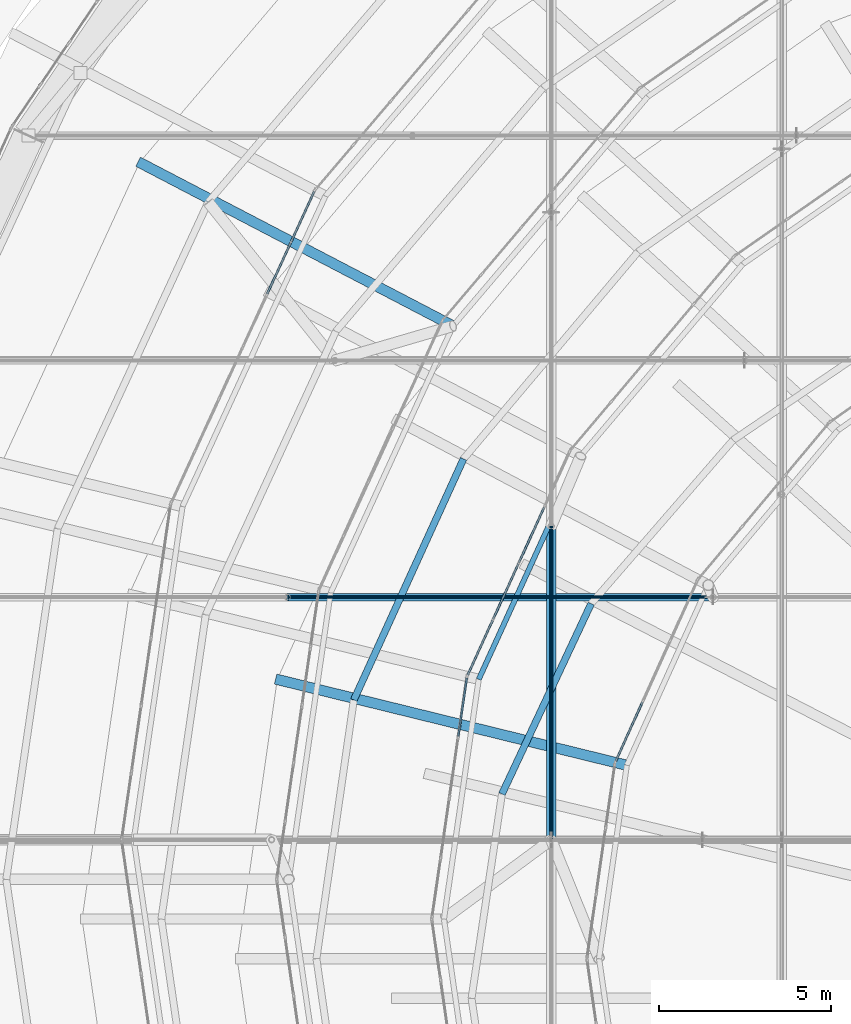
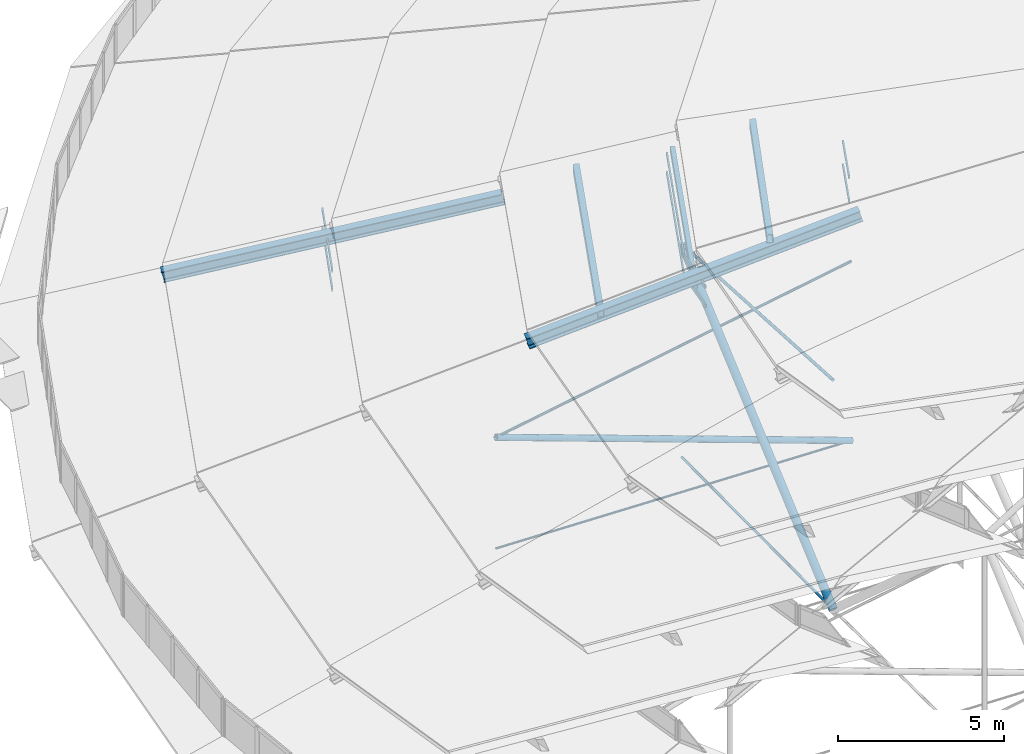
# One storey, part 44 of 173: 25 members, 4 elements without a shape of their own.
"""IFC4 building model written with IfcOpenShell, lengths in metres."""

from ifc_helpers import new_model, si_unit, direction, frame, origin, origin_2d, place, context, subcontext, project, spatial, rectangle, hollow_rectangle, circle, hollow_circle, i_section, extrude, material, material_profile, profile_set, type_object, element, aggregate, save


model = new_model("IFC4")

# Units and contexts
model_context = context("Model", 3, precision=1e-05, world=origin(), true_north=direction((0.0, 1.0)))
body_context = subcontext(model_context, "Body", "Model", "MODEL_VIEW")
ifc_project = project(units=[si_unit("LENGTHUNIT", "METRE"), si_unit("AREAUNIT", "SQUARE_METRE"), si_unit("VOLUMEUNIT", "CUBIC_METRE"), si_unit("PLANEANGLEUNIT", "RADIAN"), si_unit("MASSUNIT", "GRAM", prefix="KILO")], contexts=[model_context])

# Site, building, storey
site_placement = place(None, origin())
site = spatial("IfcSite", under=ifc_project, at=site_placement, CompositionType="ELEMENT")
building_placement = place(site_placement, origin())
building = spatial("IfcBuilding", under=site, at=building_placement, Name="Glasvene Arena", CompositionType="ELEMENT")
storey_placement = place(building_placement, frame((0.0, 0.0, 28.800048828125)))
storey = spatial("IfcBuildingStorey", under=building, at=storey_placement, Name="RF", CompositionType="ELEMENT", Elevation=28.800048828125)

# Curtain wall, members
ifc_material_1 = material(Name="Low-emissivity laminated double glazing", Category="glass")
curtain_wall_type_1 = type_object("IfcCurtainWallType", Name="CW-PET1-1001x75", PredefinedType="USERDEFINED", material=ifc_material_1)
curtain_wall_1_placement = place(storey_placement, frame((55.7568359375, 91.85009765625, 0.0)))
curtain_wall_1 = element("IfcCurtainWall", 1, at=curtain_wall_1_placement, inside=storey, type_object=curtain_wall_type_1, Name="Petal ring 1-2 clerestory curtain wall 11", ObjectType="CURTAIN WALL", PredefinedType="USERDEFINED")
ifc_material_2 = material(Name="Anodised architectural aluminium", Category="aluminium")
ifc_material_profile_1 = material_profile(ifc_material_2, rectangle(XDim=0.050048828125, YDim=0.1201171875, at=origin_2d()), Name="ALU TRANSOM 50x120")
ifc_profile_set_1 = profile_set([ifc_material_profile_1], Name="Anodised architectural aluminium")
member_type_1 = type_object("IfcMemberType", Name="CW-TRN-120", PredefinedType="USERDEFINED", material=ifc_profile_set_1)
member_1_placement = place(storey_placement, frame((55.73583984375, 91.8046875, 2.60498046875), z_axis=(-0.41760960728, -0.908626554701, 0.0), x_axis=(0.908626554701, -0.41760960728, 0.0)))
member_1 = element("IfcMember", 2, at=member_1_placement, type_object=member_type_1, Name="CW-082 transom 1.1", ObjectType="TRANSOM", PredefinedType="USERDEFINED", context=body_context, shape_type="SweptSolid", body=[
    extrude(rectangle(XDim=0.050048828125, YDim=0.1201171875, at=origin_2d()), origin(), (0.0, 0.0, 1.0), 1.593017578125),
])
member_2_placement = place(storey_placement, frame((55.73583984375, 91.8046875, 3.304931640625), z_axis=(-0.41760960728, -0.908626554701, 0.0), x_axis=(0.908626554701, -0.41760960728, 0.0)))
member_2 = element("IfcMember", 3, at=member_2_placement, type_object=member_type_1, Name="CW-082 transom 1.2", ObjectType="TRANSOM", PredefinedType="USERDEFINED", context=body_context, shape_type="SweptSolid", body=[
    extrude(rectangle(XDim=0.050048828125, YDim=0.1201171875, at=origin_2d()), origin(), (0.0, 0.0, 1.0), 1.593017578125),
])
member_3_placement = place(storey_placement, frame((55.049560546875, 90.311767578125, 2.60498046875), z_axis=(-0.417823409802, -0.908528259451, 0.0), x_axis=(0.908528259451, -0.417823409802, 0.0)))
member_3 = element("IfcMember", 4, at=member_3_placement, type_object=member_type_1, Name="CW-082 transom 2.1", ObjectType="TRANSOM", PredefinedType="USERDEFINED", context=body_context, shape_type="SweptSolid", body=[
    extrude(rectangle(XDim=0.050048828125, YDim=0.1201171875, at=origin_2d()), origin(), (0.0, 0.0, 1.0), 1.617919921875),
])
member_4_placement = place(storey_placement, frame((55.049560546875, 90.311767578125, 3.304931640625), z_axis=(-0.417823409802, -0.908528259451, 0.0), x_axis=(0.908528259451, -0.417823409802, 0.0)))
member_4 = element("IfcMember", 5, at=member_4_placement, type_object=member_type_1, Name="CW-082 transom 2.2", ObjectType="TRANSOM", PredefinedType="USERDEFINED", context=body_context, shape_type="SweptSolid", body=[
    extrude(rectangle(XDim=0.050048828125, YDim=0.1201171875, at=origin_2d()), origin(), (0.0, 0.0, 1.0), 1.617919921875),
])
aggregate(curtain_wall_1, [member_1, member_2, member_3, member_4])

curtain_wall_type_2 = type_object("IfcCurtainWallType", Name="CW-PET3-721x75", PredefinedType="USERDEFINED", material=ifc_material_1)
curtain_wall_2_placement = place(storey_placement, frame((63.16259765625, 84.300048828125, 0.0)))
curtain_wall_2 = element("IfcCurtainWall", 6, at=curtain_wall_2_placement, inside=storey, type_object=curtain_wall_type_2, Name="Petal ring 3-4 clerestory curtain wall 11", ObjectType="CURTAIN WALL", PredefinedType="USERDEFINED")
member_5_placement = place(storey_placement, frame((62.404052734375, 82.63720703125, 7.85498046875), z_axis=(-0.414999110691, -0.90982181669, 0.0), x_axis=(0.90982181669, -0.414999110691, 0.0)))
member_5 = element("IfcMember", 7, at=member_5_placement, type_object=member_type_1, Name="CW-094 transom 2.1", ObjectType="TRANSOM", PredefinedType="USERDEFINED", context=body_context, shape_type="SweptSolid", body=[
    extrude(rectangle(XDim=0.050048828125, YDim=0.1201171875, at=origin_2d()), origin(), (0.0, 0.0, 1.0), 1.75244140625),
])
member_6_placement = place(storey_placement, frame((62.404052734375, 82.63720703125, 8.554931640625), z_axis=(-0.414999110691, -0.90982181669, 0.0), x_axis=(0.90982181669, -0.414999110691, 0.0)))
member_6 = element("IfcMember", 8, at=member_6_placement, type_object=member_type_1, Name="CW-094 transom 2.2", ObjectType="TRANSOM", PredefinedType="USERDEFINED", context=body_context, shape_type="SweptSolid", body=[
    extrude(rectangle(XDim=0.050048828125, YDim=0.1201171875, at=origin_2d()), origin(), (0.0, 0.0, 1.0), 1.75244140625),
])
member_7_placement = place(storey_placement, frame((61.656005859375, 80.997314453125, 7.85498046875), z_axis=(-0.414831199932, -0.909898387493, 0.0), x_axis=(0.909898387493, -0.414831199932, 0.0)))
member_7 = element("IfcMember", 9, at=member_7_placement, type_object=member_type_1, Name="CW-094 transom 3.1", ObjectType="TRANSOM", PredefinedType="USERDEFINED", context=body_context, shape_type="SweptSolid", body=[
    extrude(rectangle(XDim=0.050048828125, YDim=0.1201171875, at=origin_2d()), origin(), (0.0, 0.0, 1.0), 1.752685546875),
])
member_8_placement = place(storey_placement, frame((61.656005859375, 80.997314453125, 8.554931640625), z_axis=(-0.414831199932, -0.909898387493, 0.0), x_axis=(0.909898387493, -0.414831199932, 0.0)))
member_8 = element("IfcMember", 10, at=member_8_placement, type_object=member_type_1, Name="CW-094 transom 3.2", ObjectType="TRANSOM", PredefinedType="USERDEFINED", context=body_context, shape_type="SweptSolid", body=[
    extrude(rectangle(XDim=0.050048828125, YDim=0.1201171875, at=origin_2d()), origin(), (0.0, 0.0, 1.0), 1.752685546875),
])
member_9_placement = place(storey_placement, frame((60.908203125, 79.357177734375, 7.85498046875), z_axis=(-0.415048276668, -0.909799388896, 0.0), x_axis=(0.909799388896, -0.415048276668, 0.0)))
member_9 = element("IfcMember", 11, at=member_9_placement, type_object=member_type_1, Name="CW-094 transom 4.1", ObjectType="TRANSOM", PredefinedType="USERDEFINED", context=body_context, shape_type="SweptSolid", body=[
    extrude(rectangle(XDim=0.050048828125, YDim=0.1201171875, at=origin_2d()), origin(), (0.0, 0.0, 1.0), 1.7275390625),
])
member_10_placement = place(storey_placement, frame((60.908203125, 79.357177734375, 8.554931640625), z_axis=(-0.415048276668, -0.909799388896, 0.0), x_axis=(0.909799388896, -0.415048276668, 0.0)))
member_10 = element("IfcMember", 12, at=member_10_placement, type_object=member_type_1, Name="CW-094 transom 4.2", ObjectType="TRANSOM", PredefinedType="USERDEFINED", context=body_context, shape_type="SweptSolid", body=[
    extrude(rectangle(XDim=0.050048828125, YDim=0.1201171875, at=origin_2d()), origin(), (0.0, 0.0, 1.0), 1.7275390625),
])
aggregate(curtain_wall_2, [member_5, member_6, member_7, member_8, member_9, member_10])

curtain_wall_type_3 = type_object("IfcCurtainWallType", Name="CW-PET3-711x75", PredefinedType="USERDEFINED", material=ifc_material_1)
curtain_wall_3_placement = place(storey_placement, frame((60.17041015625, 77.739990234375, 0.0)))
curtain_wall_3 = element("IfcCurtainWall", 13, at=curtain_wall_3_placement, inside=storey, type_object=curtain_wall_type_3, Name="Petal ring 3-4 clerestory curtain wall 12", ObjectType="CURTAIN WALL", PredefinedType="USERDEFINED")
member_11_placement = place(storey_placement, frame((60.163330078125, 77.6904296875, 7.85498046875), z_axis=(-0.143467726456, -0.989654996181, 0.0), x_axis=(0.989654996181, -0.143467726456, 0.0)))
member_11 = element("IfcMember", 14, at=member_11_placement, type_object=member_type_1, Name="CW-093 transom 1.1", ObjectType="TRANSOM", PredefinedType="USERDEFINED", context=body_context, shape_type="SweptSolid", body=[
    extrude(rectangle(XDim=0.050048828125, YDim=0.1201171875, at=origin_2d()), origin(), (0.0, 0.0, 1.0), 1.703369140625),
])
member_12_placement = place(storey_placement, frame((60.163330078125, 77.6904296875, 8.554931640625), z_axis=(-0.143467726456, -0.989654996181, 0.0), x_axis=(0.989654996181, -0.143467726456, 0.0)))
member_12 = element("IfcMember", 15, at=member_12_placement, type_object=member_type_1, Name="CW-093 transom 1.2", ObjectType="TRANSOM", PredefinedType="USERDEFINED", context=body_context, shape_type="SweptSolid", body=[
    extrude(rectangle(XDim=0.050048828125, YDim=0.1201171875, at=origin_2d()), origin(), (0.0, 0.0, 1.0), 1.703369140625),
])
aggregate(curtain_wall_3, [member_11, member_12])

curtain_wall_type_4 = type_object("IfcCurtainWallType", Name="CW-PET4-582x92", PredefinedType="USERDEFINED", material=ifc_material_1)
curtain_wall_4_placement = place(storey_placement, frame((66.865478515625, 80.550048828125, 0.0)))
curtain_wall_4 = element("IfcCurtainWall", 16, at=curtain_wall_4_placement, inside=storey, type_object=curtain_wall_type_4, Name="Petal ring 4-5 clerestory curtain wall 11", ObjectType="CURTAIN WALL", PredefinedType="USERDEFINED")
member_13_placement = place(storey_placement, frame((65.256591796875, 76.989990234375, 10.554931640625), z_axis=(-0.41175148057, -0.911296174824, 0.0), x_axis=(0.911296174824, -0.41175148057, 0.0)))
member_13 = element("IfcMember", 17, at=member_13_placement, type_object=member_type_1, Name="CW-100 transom 3.1", ObjectType="TRANSOM", PredefinedType="USERDEFINED", context=body_context, shape_type="SweptSolid", body=[
    extrude(rectangle(XDim=0.050048828125, YDim=0.1201171875, at=origin_2d()), origin(), (0.0, 0.0, 1.0), 1.865966796875),
])
member_14_placement = place(storey_placement, frame((65.256591796875, 76.989990234375, 11.4208984375), z_axis=(-0.41175148057, -0.911296174824, 0.0), x_axis=(0.911296174824, -0.41175148057, 0.0)))
member_14 = element("IfcMember", 18, at=member_14_placement, type_object=member_type_1, Name="CW-100 transom 3.2", ObjectType="TRANSOM", PredefinedType="USERDEFINED", context=body_context, shape_type="SweptSolid", body=[
    extrude(rectangle(XDim=0.050048828125, YDim=0.1201171875, at=origin_2d()), origin(), (0.0, 0.0, 1.0), 1.865966796875),
])
aggregate(curtain_wall_4, [member_13, member_14])

# Members
ifc_material_3 = material(Name="High-strength steel spiral strand S460", Category="steel")
ifc_material_profile_2 = material_profile(ifc_material_3, circle(Radius=0.052490234375, at=origin_2d()), Name="LCSS D105")
ifc_profile_set_2 = profile_set([ifc_material_profile_2], Name="High-strength steel spiral strand S460")
member_type_2 = type_object("IfcMemberType", Name="MB-CABLE-105", PredefinedType="USERDEFINED", material=ifc_profile_set_2)
member_15_placement = place(storey_placement, frame((62.610595703125, 73.0, 6.02001953125), z_axis=(0.0, 0.998367104259, -0.05712377031), x_axis=(-1.0, 0.0, 0.0)))
element("IfcMember", 19, at=member_15_placement, inside=storey, type_object=member_type_2, Name="Upper lens roof cable NS09-05", ObjectType="ROOF CABLE", PredefinedType="USERDEFINED", context=body_context, shape_type="SweptSolid", body=[
    extrude(circle(Radius=0.052490234375, at=origin_2d()), origin(), (0.0, 0.0, 1.0), 9.1162109375),
])
ifc_material_profile_3 = material_profile(ifc_material_3, circle(Radius=0.03759765625, at=origin_2d()), Name="LCSS D75")
ifc_profile_set_3 = profile_set([ifc_material_profile_3], Name="High-strength steel spiral strand S460")
member_type_3 = type_object("IfcMemberType", Name="MB-CABLE-75", PredefinedType="USERDEFINED", material=ifc_profile_set_3)
member_16_placement = place(storey_placement, frame((54.961669921875, 80.03955078125, -1.753173828125), z_axis=(0.99957662633, 0.0, -0.029095843266), x_axis=(0.0, 1.0, 0.0)))
element("IfcMember", 20, at=member_16_placement, inside=storey, type_object=member_type_3, Name="Lower stabilization roof cable EW05-02", ObjectType="ROOF CABLE", PredefinedType="USERDEFINED", context=body_context, shape_type="SweptSolid", body=[
    extrude(circle(Radius=0.03759765625, at=origin_2d()), origin(), (0.0, 0.0, 1.0), 12.351318359375),
])
ifc_material_profile_4 = material_profile(ifc_material_3, circle(Radius=0.044921875, at=origin_2d()), Name="LCSS D90")
ifc_profile_set_4 = profile_set([ifc_material_profile_4], Name="High-strength steel spiral strand S460")
member_type_4 = type_object("IfcMemberType", Name="MB-CABLE-90", PredefinedType="USERDEFINED", material=ifc_profile_set_4)
member_17_placement = place(storey_placement, frame((62.610595703125, 73.0, -2.400146484375), z_axis=(0.0, 0.999968691293, 0.00791305464), x_axis=(-1.0, 0.0, 0.0)))
element("IfcMember", 21, at=member_17_placement, inside=storey, type_object=member_type_4, Name="Lower stabilization roof cable NS09-05", ObjectType="ROOF CABLE", PredefinedType="USERDEFINED", context=body_context, shape_type="SweptSolid", body=[
    extrude(circle(Radius=0.044921875, at=origin_2d()), origin(), (0.0, 0.0, 1.0), 9.1015625),
])
member_18_placement = place(storey_placement, frame((54.961669921875, 80.03955078125, 2.328857421875), z_axis=(0.98525376548, 0.0, 0.171099437778), x_axis=(0.0, 1.0, 0.0)))
element("IfcMember", 22, at=member_18_placement, inside=storey, type_object=member_type_4, Name="Upper lens roof cable EW05-02", ObjectType="ROOF CABLE", PredefinedType="USERDEFINED", context=body_context, shape_type="SweptSolid", body=[
    extrude(circle(Radius=0.044921875, at=origin_2d()), origin(), (0.0, 0.0, 1.0), 12.531005859375),
])
ifc_material_4 = material(Name="Steel S355J2", Category="steel")
ifc_material_profile_5 = material_profile(ifc_material_4, i_section(OverallWidth=0.300048828125, OverallDepth=0.39990234375, WebThickness=0.013427734375, FlangeThickness=0.02392578125, FilletRadius=0.027099609375, at=origin_2d()), Name="HEB 400")
ifc_profile_set_5 = profile_set([ifc_material_profile_5], Name="Steel S355J2")
member_type_5 = type_object("IfcMemberType", Name="MB-CHORD-HEB400", PredefinedType="CHORD", material=ifc_profile_set_5)
member_19_placement = place(storey_placement, frame((50.66943359375, 92.64990234375, 2.14990234375), z_axis=(0.860450517355, -0.448776022932, 0.241298546254), x_axis=(0.46244071503, 0.886650204468, 0.0)))
element("IfcMember", 23, at=member_19_placement, inside=storey, type_object=member_type_5, Name="Petal ring 2 radial rib 11", PredefinedType="CHORD", context=body_context, shape_type="SweptSolid", body=[
    extrude(i_section(OverallWidth=0.300048828125, OverallDepth=0.39990234375, WebThickness=0.013427734375, FlangeThickness=0.02392578125, FilletRadius=0.027099609375, at=origin_2d()), origin(), (0.0, 0.0, 1.0), 10.568115234375),
])
member_20_placement = place(storey_placement, frame((54.66357421875, 77.65087890625, 7.39990234375), z_axis=(0.941311100722, -0.231164235842, 0.245960378363), x_axis=(0.2384906979, 0.971144781696, 0.0)))
element("IfcMember", 24, at=member_20_placement, inside=storey, type_object=member_type_5, Name="Petal ring 4 radial rib 12", PredefinedType="CHORD", context=body_context, shape_type="SweptSolid", body=[
    extrude(i_section(OverallWidth=0.300048828125, OverallDepth=0.39990234375, WebThickness=0.013427734375, FlangeThickness=0.02392578125, FilletRadius=0.027099609375, at=origin_2d()), origin(), (0.0, 0.0, 1.0), 10.774658203125),
])
ifc_material_profile_6 = material_profile(ifc_material_4, hollow_rectangle(XDim=0.14990234375, YDim=0.25, WallThickness=0.010009765625, at=origin_2d()), Name="RHS 250x150x10.0")
ifc_profile_set_6 = profile_set([ifc_material_profile_6], Name="Steel S355J2")
member_type_6 = type_object("IfcMemberType", Name="MB-PURLIN-RHS250", PredefinedType="PURLIN", material=ifc_profile_set_6)
member_21_placement = place(storey_placement, frame((63.4658203125, 84.134521484375, 7.431884765625), z_axis=(-0.415165944447, -0.909745699947, 0.0), x_axis=(0.909745699947, -0.415165944447, 0.0)))
element("IfcMember", 25, at=member_21_placement, inside=storey, type_object=member_type_6, Name="Petal ring 3 ridge purlin 11", PredefinedType="PURLIN", context=body_context, shape_type="SweptSolid", body=[
    extrude(hollow_rectangle(XDim=0.14990234375, YDim=0.25, WallThickness=0.010009765625, at=origin_2d()), origin(), (0.0, 0.0, 1.0), 7.123046875),
])
ifc_material_profile_7 = material_profile(ifc_material_4, hollow_rectangle(XDim=0.199951171875, YDim=0.300048828125, WallThickness=0.012451171875, at=origin_2d()), Name="RHS 300x200x12.5")
ifc_profile_set_7 = profile_set([ifc_material_profile_7], Name="Steel S355J2")
member_type_7 = type_object("IfcMemberType", Name="MB-PURLIN-RHS300", PredefinedType="PURLIN", material=ifc_profile_set_7)
member_22_placement = place(storey_placement, frame((60.067138671875, 84.050048828125, 8.00048828125), z_axis=(-0.414097366864, -0.91023259157, 0.0), x_axis=(0.91023259157, -0.414097366864, 0.0)))
element("IfcMember", 26, at=member_22_placement, inside=storey, type_object=member_type_7, Name="Petal ring 4 outer purlin 11", PredefinedType="PURLIN", context=body_context, shape_type="SweptSolid", body=[
    extrude(hollow_rectangle(XDim=0.199951171875, YDim=0.300048828125, WallThickness=0.012451171875, at=origin_2d()), origin(), (0.0, 0.0, 1.0), 7.683837890625),
])
member_23_placement = place(storey_placement, frame((63.77001953125, 79.85009765625, 10.9013671875), z_axis=(-0.424219525653, -0.905559381849, 0.0), x_axis=(0.905559381849, -0.424219525653, 0.0)))
element("IfcMember", 27, at=member_23_placement, inside=storey, type_object=member_type_7, Name="Petal ring 5 outer purlin 11", PredefinedType="PURLIN", context=body_context, shape_type="SweptSolid", body=[
    extrude(hollow_rectangle(XDim=0.199951171875, YDim=0.300048828125, WallThickness=0.012451171875, at=origin_2d()), origin(), (0.0, 0.0, 1.0), 6.09912109375),
])
ifc_material_profile_8 = material_profile(ifc_material_4, hollow_circle(Radius=0.109619140625, WallThickness=0.010009765625, at=origin_2d()), Name="CHS 219.1x10.0")
ifc_profile_set_8 = profile_set([ifc_material_profile_8], Name="Steel S355J2")
member_type_8 = type_object("IfcMemberType", Name="MB-WEB-CHS219", PredefinedType="BRACE", material=ifc_profile_set_8)
member_24_placement = place(storey_placement, frame((54.961669921875, 80.03955078125, 2.328857421875), z_axis=(0.940965663456, 0.0, -0.338502023919), x_axis=(0.0, 1.0, 0.0)))
element("IfcMember", 28, at=member_24_placement, inside=storey, type_object=member_type_8, Name="Cable-truss diagonal web strut EW05-02", PredefinedType="BRACE", context=body_context, shape_type="SweptSolid", body=[
    extrude(hollow_circle(Radius=0.109619140625, WallThickness=0.010009765625, at=origin_2d()), origin(), (0.0, 0.0, 1.0), 13.120849609375),
])
ifc_material_profile_9 = material_profile(ifc_material_4, hollow_circle(Radius=0.136474609375, WallThickness=0.012451171875, at=origin_2d()), Name="CHS 273.0x12.5")
ifc_profile_set_9 = profile_set([ifc_material_profile_9], Name="Steel S355J2")
member_type_9 = type_object("IfcMemberType", Name="MB-WEB-CHS273", PredefinedType="BRACE", material=ifc_profile_set_9)
member_25_placement = place(storey_placement, frame((62.610595703125, 73.0, -2.400146484375), z_axis=(0.0, 0.755212296513, 0.655480272163), x_axis=(-1.0, 0.0, 0.0)))
element("IfcMember", 29, at=member_25_placement, inside=storey, type_object=member_type_9, Name="Cable-truss diagonal web strut NS09-05", PredefinedType="BRACE", context=body_context, shape_type="SweptSolid", body=[
    extrude(hollow_circle(Radius=0.136474609375, WallThickness=0.012451171875, at=origin_2d()), origin(), (0.0, 0.0, 1.0), 12.05126953125),
])

save(model, "model.ifc")
